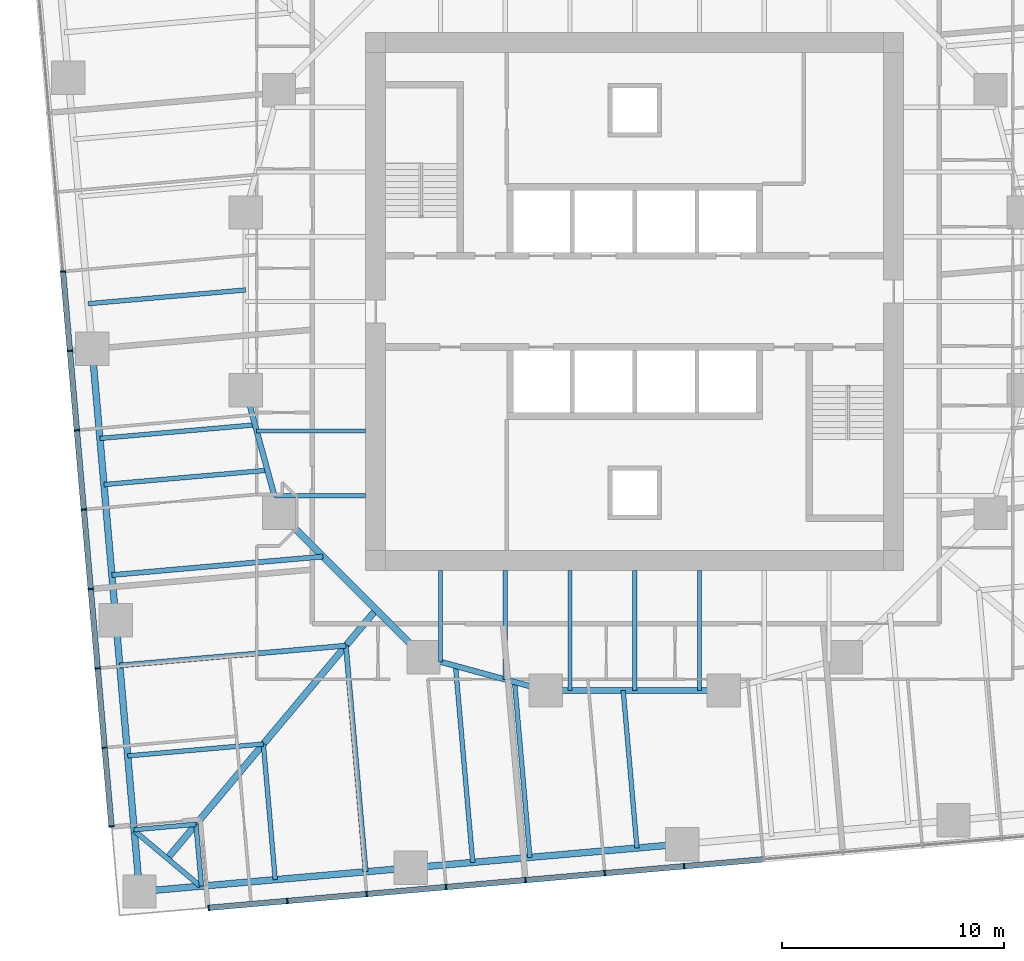
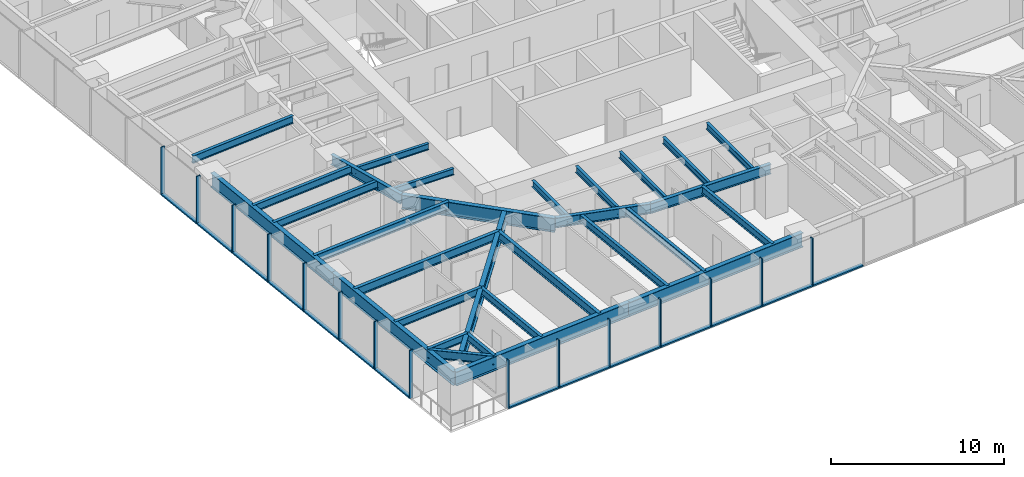
# One storey, part 2 of 14: 30 beams, 29 members, 2 elements without a shape of their own.
"""IFC4 building model written with IfcOpenShell, lengths in metres."""

from ifc_helpers import new_model, si_unit, direction, frame, origin, origin_2d, place, context, subcontext, project, spatial, rectangle, i_section, extrude, material, material_profile, profile_set, type_object, element, aggregate, save


model = new_model("IFC4")

# Units and contexts
model_context = context("Model", 3, precision=1e-05, world=origin(), true_north=direction((0.0, 1.0)))
body_context = subcontext(model_context, "Body", "Model", "MODEL_VIEW")
ifc_project = project(units=[si_unit("LENGTHUNIT", "METRE"), si_unit("AREAUNIT", "SQUARE_METRE"), si_unit("VOLUMEUNIT", "CUBIC_METRE"), si_unit("PLANEANGLEUNIT", "RADIAN"), si_unit("MASSUNIT", "GRAM", prefix="KILO")], contexts=[model_context])

# Site, building, storey
site_placement = place(None, origin())
site = spatial("IfcSite", under=ifc_project, at=site_placement, CompositionType="ELEMENT")
building_placement = place(site_placement, origin())
building = spatial("IfcBuilding", under=site, at=building_placement, Name="Torsade Residences", CompositionType="ELEMENT")
storey_placement = place(building_placement, frame((0.0, 0.0, 47.199951171875)))
storey = spatial("IfcBuildingStorey", under=building, at=storey_placement, Name="L12", CompositionType="ELEMENT", Elevation=47.199951171875)

# Beams
ifc_material_1 = material(Name="Steel grade 300", Category="steel")
ifc_material_profile_1 = material_profile(ifc_material_1, i_section(OverallWidth=0.300048828125, OverallDepth=0.89990234375, WebThickness=0.011962890625, FlangeThickness=0.02490234375, at=origin_2d()), Name="900WB175")
ifc_profile_set_1 = profile_set([ifc_material_profile_1], Name="Steel grade 300")
beam_type_1 = type_object("IfcBeamType", Name="CORNER GIRDER 900WB175", PredefinedType="BEAM", material=ifc_profile_set_1)
beam_1_placement = place(storey_placement, frame((18.978515625, 4.947509765625, 2.800048828125), z_axis=(0.642785419012, 0.766046281307, 0.0), x_axis=(-0.766046281307, 0.642785419012, 0.0)))
element("IfcBeam", 1, at=beam_1_placement, inside=storey, type_object=beam_type_1, Name="Corner girder 01 L13", PredefinedType="BEAM", context=body_context, shape_type="SweptSolid", body=[
    extrude(i_section(OverallWidth=0.300048828125, OverallDepth=0.89990234375, WebThickness=0.011962890625, FlangeThickness=0.02490234375, at=origin_2d()), origin(), (0.0, 0.0, 1.0), 14.603515625),
])
ifc_material_2 = material(Name="Steel grade 300", Category="steel")
ifc_material_profile_2 = material_profile(ifc_material_2, i_section(OverallWidth=0.22802734375, OverallDepth=0.60205078125, WebThickness=0.010498046875, FlangeThickness=0.014892578125, FilletRadius=0.013916015625, at=origin_2d()), Name="610UB101")
ifc_profile_set_2 = profile_set([ifc_material_profile_2], Name="Steel grade 300")
beam_type_2 = type_object("IfcBeamType", Name="CORNER TRIMMER 610UB101", PredefinedType="BEAM", material=ifc_profile_set_2)
beam_2_placement = place(storey_placement, frame((20.468017578125, 3.697509765625, 2.948974609375), z_axis=(-0.766030001697, 0.642804819911, 0.0), x_axis=(-0.642804819911, -0.766030001697, 0.0)))
element("IfcBeam", 2, at=beam_2_placement, inside=storey, type_object=beam_type_2, Name="Corner trimmer 01 L13", PredefinedType="BEAM", context=body_context, shape_type="SweptSolid", body=[
    extrude(i_section(OverallWidth=0.22802734375, OverallDepth=0.60205078125, WebThickness=0.010498046875, FlangeThickness=0.014892578125, FilletRadius=0.013916015625, at=origin_2d()), origin(), (0.0, 0.0, 1.0), 3.88916015625),
])

# Curtain wall, members
ifc_material_3 = material(Name="Aluminium and glass", Category="aluminium")
curtain_wall_type = type_object("IfcCurtainWallType", Name="FRITTED GLASS CURTAIN WALL LOW ZONE", PredefinedType="NOTDEFINED", material=ifc_material_3)
curtain_wall_1_placement = place(storey_placement, origin())
curtain_wall_1 = element("IfcCurtainWall", 3, at=curtain_wall_1_placement, inside=storey, type_object=curtain_wall_type, Name="Curtain wall L12 face 1", PredefinedType="NOTDEFINED")
ifc_material_4 = material(Name="Aluminium mullion", Category="aluminium")
ifc_material_profile_3 = material_profile(ifc_material_4, rectangle(XDim=0.25, YDim=0.06494140625, at=origin_2d()), Name="CURTAIN WALL MULLION 250x65")
ifc_profile_set_3 = profile_set([ifc_material_profile_3], Name="Aluminium mullion")
member_type_1 = type_object("IfcMemberType", Name="CURTAIN WALL MULLION 250x65", PredefinedType="MULLION", material=ifc_profile_set_3)
member_1_placement = place(storey_placement, frame((20.836669921875, 2.72607421875, 0.0), z_axis=(0.0, 0.0, 1.0), x_axis=(-0.087155744208, 0.996194697964, 0.0)))
member_1 = element("IfcMember", 4, at=member_1_placement, type_object=member_type_1, Name="Mullion 1", PredefinedType="MULLION", context=body_context, shape_type="SweptSolid", body=[
    extrude(rectangle(XDim=0.25, YDim=0.06494140625, at=origin_2d()), origin(), (0.0, 0.0, 1.0), 3.400146484375),
])
member_2_placement = place(storey_placement, frame((24.3740234375, 3.035400390625, 0.0), z_axis=(0.0, 0.0, 1.0), x_axis=(-0.087155744208, 0.996194697964, 0.0)))
member_2 = element("IfcMember", 5, at=member_2_placement, type_object=member_type_1, Name="Mullion 2", PredefinedType="MULLION", context=body_context, shape_type="SweptSolid", body=[
    extrude(rectangle(XDim=0.25, YDim=0.06494140625, at=origin_2d()), origin(), (0.0, 0.0, 1.0), 3.400146484375),
])
member_3_placement = place(storey_placement, frame((27.943603515625, 3.347900390625, 0.0), z_axis=(0.0, 0.0, 1.0), x_axis=(-0.087155744208, 0.996194697964, 0.0)))
member_3 = element("IfcMember", 6, at=member_3_placement, type_object=member_type_1, Name="Mullion 3", PredefinedType="MULLION", context=body_context, shape_type="SweptSolid", body=[
    extrude(rectangle(XDim=0.25, YDim=0.06494140625, at=origin_2d()), origin(), (0.0, 0.0, 1.0), 3.400146484375),
])
member_4_placement = place(storey_placement, frame((31.513427734375, 3.66015625, 0.0), z_axis=(0.0, 0.0, 1.0), x_axis=(-0.087155744208, 0.996194697964, 0.0)))
member_4 = element("IfcMember", 7, at=member_4_placement, type_object=member_type_1, Name="Mullion 4", PredefinedType="MULLION", context=body_context, shape_type="SweptSolid", body=[
    extrude(rectangle(XDim=0.25, YDim=0.06494140625, at=origin_2d()), origin(), (0.0, 0.0, 1.0), 3.400146484375),
])
member_5_placement = place(storey_placement, frame((35.0830078125, 3.972412109375, 0.0), z_axis=(0.0, 0.0, 1.0), x_axis=(-0.087155744208, 0.996194697964, 0.0)))
member_5 = element("IfcMember", 8, at=member_5_placement, type_object=member_type_1, Name="Mullion 5", PredefinedType="MULLION", context=body_context, shape_type="SweptSolid", body=[
    extrude(rectangle(XDim=0.25, YDim=0.06494140625, at=origin_2d()), origin(), (0.0, 0.0, 1.0), 3.400146484375),
])
member_6_placement = place(storey_placement, frame((38.65283203125, 4.28466796875, 0.0), z_axis=(0.0, 0.0, 1.0), x_axis=(-0.087155744208, 0.996194697964, 0.0)))
member_6 = element("IfcMember", 9, at=member_6_placement, type_object=member_type_1, Name="Mullion 6", PredefinedType="MULLION", context=body_context, shape_type="SweptSolid", body=[
    extrude(rectangle(XDim=0.25, YDim=0.06494140625, at=origin_2d()), origin(), (0.0, 0.0, 1.0), 3.400146484375),
])
member_7_placement = place(storey_placement, frame((42.222412109375, 4.596923828125, 0.0), z_axis=(0.0, 0.0, 1.0), x_axis=(-0.087155744208, 0.996194697964, 0.0)))
member_7 = element("IfcMember", 10, at=member_7_placement, type_object=member_type_1, Name="Mullion 7", PredefinedType="MULLION", context=body_context, shape_type="SweptSolid", body=[
    extrude(rectangle(XDim=0.25, YDim=0.06494140625, at=origin_2d()), origin(), (0.0, 0.0, 1.0), 3.400146484375),
])

curtain_wall_2_placement = place(storey_placement, origin())
curtain_wall_2 = element("IfcCurtainWall", 11, at=curtain_wall_2_placement, inside=storey, type_object=curtain_wall_type, Name="Curtain wall L12 face 10", PredefinedType="NOTDEFINED")
member_8_placement = place(storey_placement, frame((14.28466796875, 31.34716796875, 0.0), z_axis=(0.0, 0.0, 1.0), x_axis=(0.996194697964, 0.087155744208, 0.0)))
member_8 = element("IfcMember", 12, at=member_8_placement, type_object=member_type_1, Name="Mullion 6", PredefinedType="MULLION", context=body_context, shape_type="SweptSolid", body=[
    extrude(rectangle(XDim=0.25, YDim=0.06494140625, at=origin_2d()), origin(), (0.0, 0.0, 1.0), 3.400146484375),
])
member_9_placement = place(storey_placement, frame((14.596923828125, 27.777587890625, 0.0), z_axis=(0.0, 0.0, 1.0), x_axis=(0.996194697964, 0.087155744208, 0.0)))
member_9 = element("IfcMember", 13, at=member_9_placement, type_object=member_type_1, Name="Mullion 7", PredefinedType="MULLION", context=body_context, shape_type="SweptSolid", body=[
    extrude(rectangle(XDim=0.25, YDim=0.06494140625, at=origin_2d()), origin(), (0.0, 0.0, 1.0), 3.400146484375),
])
member_10_placement = place(storey_placement, frame((14.909423828125, 24.207763671875, 0.0), z_axis=(0.0, 0.0, 1.0), x_axis=(0.996194697964, 0.087155744208, 0.0)))
member_10 = element("IfcMember", 14, at=member_10_placement, type_object=member_type_1, Name="Mullion 8", PredefinedType="MULLION", context=body_context, shape_type="SweptSolid", body=[
    extrude(rectangle(XDim=0.25, YDim=0.06494140625, at=origin_2d()), origin(), (0.0, 0.0, 1.0), 3.400146484375),
])
member_11_placement = place(storey_placement, frame((15.2216796875, 20.63818359375, 0.0), z_axis=(0.0, 0.0, 1.0), x_axis=(0.996194697964, 0.087155744208, 0.0)))
member_11 = element("IfcMember", 15, at=member_11_placement, type_object=member_type_1, Name="Mullion 9", PredefinedType="MULLION", context=body_context, shape_type="SweptSolid", body=[
    extrude(rectangle(XDim=0.25, YDim=0.06494140625, at=origin_2d()), origin(), (0.0, 0.0, 1.0), 3.400146484375),
])
member_12_placement = place(storey_placement, frame((15.533935546875, 17.068359375, 0.0), z_axis=(0.0, 0.0, 1.0), x_axis=(0.996194697964, 0.087155744208, 0.0)))
member_12 = element("IfcMember", 16, at=member_12_placement, type_object=member_type_1, Name="Mullion 10", PredefinedType="MULLION", context=body_context, shape_type="SweptSolid", body=[
    extrude(rectangle(XDim=0.25, YDim=0.06494140625, at=origin_2d()), origin(), (0.0, 0.0, 1.0), 3.400146484375),
])
member_13_placement = place(storey_placement, frame((15.84619140625, 13.498779296875, 0.0), z_axis=(0.0, 0.0, 1.0), x_axis=(0.996194697964, 0.087155744208, 0.0)))
member_13 = element("IfcMember", 17, at=member_13_placement, type_object=member_type_1, Name="Mullion 11", PredefinedType="MULLION", context=body_context, shape_type="SweptSolid", body=[
    extrude(rectangle(XDim=0.25, YDim=0.06494140625, at=origin_2d()), origin(), (0.0, 0.0, 1.0), 3.400146484375),
])
member_14_placement = place(storey_placement, frame((16.15869140625, 9.928955078125, 0.0), z_axis=(0.0, 0.0, 1.0), x_axis=(0.996194697964, 0.087155744208, 0.0)))
member_14 = element("IfcMember", 18, at=member_14_placement, type_object=member_type_1, Name="Mullion 12", PredefinedType="MULLION", context=body_context, shape_type="SweptSolid", body=[
    extrude(rectangle(XDim=0.25, YDim=0.06494140625, at=origin_2d()), origin(), (0.0, 0.0, 1.0), 3.400146484375),
])
member_15_placement = place(storey_placement, frame((16.468017578125, 6.3916015625, 0.0), z_axis=(0.0, 0.0, 1.0), x_axis=(0.996194697964, 0.087155744208, 0.0)))
member_15 = element("IfcMember", 19, at=member_15_placement, type_object=member_type_1, Name="Mullion 13", PredefinedType="MULLION", context=body_context, shape_type="SweptSolid", body=[
    extrude(rectangle(XDim=0.25, YDim=0.06494140625, at=origin_2d()), origin(), (0.0, 0.0, 1.0), 3.400146484375),
])

# Member
ifc_material_5 = material(Name="Aluminium transom", Category="aluminium")
ifc_material_profile_4 = material_profile(ifc_material_5, rectangle(XDim=0.25, YDim=0.10009765625, at=origin_2d()), Name="CURTAIN WALL TRANSOM 250x100")
ifc_profile_set_4 = profile_set([ifc_material_profile_4], Name="Aluminium transom")
member_type_2 = type_object("IfcMemberType", Name="CURTAIN WALL TRANSOM 250x100", PredefinedType="USERDEFINED", material=ifc_profile_set_4)
member_16_placement = place(storey_placement, frame((20.869140625, 2.728759765625, 0.050048828125), z_axis=(0.996190751941, 0.0872008357, 0.0), x_axis=(-0.0872008357, 0.996190751941, 0.0)))
member_16 = element("IfcMember", 20, at=member_16_placement, type_object=member_type_2, Name="Transom 1.1", ObjectType="TRANSOM", PredefinedType="USERDEFINED", context=body_context, shape_type="SweptSolid", body=[
    extrude(rectangle(XDim=0.25, YDim=0.10009765625, at=origin_2d()), origin(), (0.0, 0.0, 1.0), 3.485595703125),
])

member_17_placement = place(storey_placement, frame((24.40625, 3.038330078125, 0.050048828125), z_axis=(0.996195148363, 0.08715059597, 0.0), x_axis=(-0.08715059597, 0.996195148363, 0.0)))
member_17 = element("IfcMember", 21, at=member_17_placement, type_object=member_type_2, Name="Transom 2.1", ObjectType="TRANSOM", PredefinedType="USERDEFINED", context=body_context, shape_type="SweptSolid", body=[
    extrude(rectangle(XDim=0.25, YDim=0.10009765625, at=origin_2d()), origin(), (0.0, 0.0, 1.0), 3.5185546875),
])

member_18_placement = place(storey_placement, frame((27.97607421875, 3.3505859375, 0.050048828125), z_axis=(0.996194621295, 0.087156620531, 0.0), x_axis=(-0.087156620531, 0.996194621295, 0.0)))
member_18 = element("IfcMember", 22, at=member_18_placement, type_object=member_type_2, Name="Transom 3.1", ObjectType="TRANSOM", PredefinedType="USERDEFINED", context=body_context, shape_type="SweptSolid", body=[
    extrude(rectangle(XDim=0.25, YDim=0.10009765625, at=origin_2d()), origin(), (0.0, 0.0, 1.0), 3.518310546875),
])

member_19_placement = place(storey_placement, frame((31.545654296875, 3.662841796875, 0.050048828125), z_axis=(0.996195148363, 0.08715059597, 0.0), x_axis=(-0.08715059597, 0.996195148363, 0.0)))
member_19 = element("IfcMember", 23, at=member_19_placement, type_object=member_type_2, Name="Transom 4.1", ObjectType="TRANSOM", PredefinedType="USERDEFINED", context=body_context, shape_type="SweptSolid", body=[
    extrude(rectangle(XDim=0.25, YDim=0.10009765625, at=origin_2d()), origin(), (0.0, 0.0, 1.0), 3.5185546875),
])

member_20_placement = place(storey_placement, frame((35.115478515625, 3.975341796875, 0.050048828125), z_axis=(0.996194621295, 0.087156620531, 0.0), x_axis=(-0.087156620531, 0.996194621295, 0.0)))
member_20 = element("IfcMember", 24, at=member_20_placement, type_object=member_type_2, Name="Transom 5.1", ObjectType="TRANSOM", PredefinedType="USERDEFINED", context=body_context, shape_type="SweptSolid", body=[
    extrude(rectangle(XDim=0.25, YDim=0.10009765625, at=origin_2d()), origin(), (0.0, 0.0, 1.0), 3.518310546875),
])

member_21_placement = place(storey_placement, frame((38.68505859375, 4.28759765625, 0.050048828125), z_axis=(0.996195148363, 0.08715059597, 0.0), x_axis=(-0.08715059597, 0.996195148363, 0.0)))
member_21 = element("IfcMember", 25, at=member_21_placement, type_object=member_type_2, Name="Transom 6.1", ObjectType="TRANSOM", PredefinedType="USERDEFINED", context=body_context, shape_type="SweptSolid", body=[
    extrude(rectangle(XDim=0.25, YDim=0.10009765625, at=origin_2d()), origin(), (0.0, 0.0, 1.0), 3.5185546875),
])

member_22_placement = place(storey_placement, frame((42.2548828125, 4.599853515625, 0.050048828125), z_axis=(0.996194621295, 0.087156620531, 0.0), x_axis=(-0.087156620531, 0.996194621295, 0.0)))
member_22 = element("IfcMember", 26, at=member_22_placement, type_object=member_type_2, Name="Transom 7.1", ObjectType="TRANSOM", PredefinedType="USERDEFINED", context=body_context, shape_type="SweptSolid", body=[
    extrude(rectangle(XDim=0.25, YDim=0.10009765625, at=origin_2d()), origin(), (0.0, 0.0, 1.0), 3.518310546875),
])

aggregate(curtain_wall_1, [member_1, member_2, member_3, member_4, member_5, member_6, member_7, member_16, member_17, member_18, member_19, member_20, member_21, member_22])

member_23_placement = place(storey_placement, frame((14.28759765625, 31.31494140625, 0.050048828125), z_axis=(0.08715059597, -0.996195148363, 0.0), x_axis=(0.996195148363, 0.08715059597, 0.0)))
member_23 = element("IfcMember", 27, at=member_23_placement, type_object=member_type_2, Name="Transom 6.1", ObjectType="TRANSOM", PredefinedType="USERDEFINED", context=body_context, shape_type="SweptSolid", body=[
    extrude(rectangle(XDim=0.25, YDim=0.10009765625, at=origin_2d()), origin(), (0.0, 0.0, 1.0), 3.5185546875),
])

member_24_placement = place(storey_placement, frame((14.599853515625, 27.7451171875, 0.050048828125), z_axis=(0.087156620531, -0.996194621295, 0.0), x_axis=(0.996194621295, 0.087156620531, 0.0)))
member_24 = element("IfcMember", 28, at=member_24_placement, type_object=member_type_2, Name="Transom 7.1", ObjectType="TRANSOM", PredefinedType="USERDEFINED", context=body_context, shape_type="SweptSolid", body=[
    extrude(rectangle(XDim=0.25, YDim=0.10009765625, at=origin_2d()), origin(), (0.0, 0.0, 1.0), 3.518310546875),
])

member_25_placement = place(storey_placement, frame((14.912109375, 24.175537109375, 0.050048828125), z_axis=(0.08715059597, -0.996195148363, 0.0), x_axis=(0.996195148363, 0.08715059597, 0.0)))
member_25 = element("IfcMember", 29, at=member_25_placement, type_object=member_type_2, Name="Transom 8.1", ObjectType="TRANSOM", PredefinedType="USERDEFINED", context=body_context, shape_type="SweptSolid", body=[
    extrude(rectangle(XDim=0.25, YDim=0.10009765625, at=origin_2d()), origin(), (0.0, 0.0, 1.0), 3.5185546875),
])

member_26_placement = place(storey_placement, frame((15.224365234375, 20.605712890625, 0.050048828125), z_axis=(0.087156620531, -0.996194621295, 0.0), x_axis=(0.996194621295, 0.087156620531, 0.0)))
member_26 = element("IfcMember", 30, at=member_26_placement, type_object=member_type_2, Name="Transom 9.1", ObjectType="TRANSOM", PredefinedType="USERDEFINED", context=body_context, shape_type="SweptSolid", body=[
    extrude(rectangle(XDim=0.25, YDim=0.10009765625, at=origin_2d()), origin(), (0.0, 0.0, 1.0), 3.518310546875),
])

member_27_placement = place(storey_placement, frame((15.536865234375, 17.0361328125, 0.050048828125), z_axis=(0.08715059597, -0.996195148363, 0.0), x_axis=(0.996195148363, 0.08715059597, 0.0)))
member_27 = element("IfcMember", 31, at=member_27_placement, type_object=member_type_2, Name="Transom 10.1", ObjectType="TRANSOM", PredefinedType="USERDEFINED", context=body_context, shape_type="SweptSolid", body=[
    extrude(rectangle(XDim=0.25, YDim=0.10009765625, at=origin_2d()), origin(), (0.0, 0.0, 1.0), 3.5185546875),
])

member_28_placement = place(storey_placement, frame((15.84912109375, 13.46630859375, 0.050048828125), z_axis=(0.087156620531, -0.996194621295, 0.0), x_axis=(0.996194621295, 0.087156620531, 0.0)))
member_28 = element("IfcMember", 32, at=member_28_placement, type_object=member_type_2, Name="Transom 11.1", ObjectType="TRANSOM", PredefinedType="USERDEFINED", context=body_context, shape_type="SweptSolid", body=[
    extrude(rectangle(XDim=0.25, YDim=0.10009765625, at=origin_2d()), origin(), (0.0, 0.0, 1.0), 3.518310546875),
])

member_29_placement = place(storey_placement, frame((16.161376953125, 9.896728515625, 0.050048828125), z_axis=(0.08719475177, -0.996191284475, 0.0), x_axis=(0.996191284475, 0.08719475177, 0.0)))
member_29 = element("IfcMember", 33, at=member_29_placement, type_object=member_type_2, Name="Transom 12.1", ObjectType="TRANSOM", PredefinedType="USERDEFINED", context=body_context, shape_type="SweptSolid", body=[
    extrude(rectangle(XDim=0.25, YDim=0.10009765625, at=origin_2d()), origin(), (0.0, 0.0, 1.0), 3.48583984375),
])

aggregate(curtain_wall_2, [member_8, member_9, member_10, member_11, member_12, member_13, member_14, member_15, member_23, member_24, member_25, member_26, member_27, member_28, member_29])

# Beams
ifc_material_6 = material(Name="Steel grade 300", Category="steel")
ifc_material_profile_5 = material_profile(ifc_material_6, i_section(OverallWidth=0.300048828125, OverallDepth=1.0, WebThickness=0.01611328125, FlangeThickness=0.028076171875, at=origin_2d()), Name="1000WB215")
ifc_profile_set_5 = profile_set([ifc_material_profile_5], Name="Steel grade 300")
beam_type_3 = type_object("IfcBeamType", Name="EDGE BEAM 1000WB215", PredefinedType="SPANDREL", material=ifc_profile_set_5)
for number, where, z_axis, x_axis, name in (
    (34, (17.728515625, 3.4580078125, 2.75), (0.996194907201, 0.08715335259, 0.0), (-0.08715335259, 0.996194907201, 0.0), "Edge beam 01 L13"),
    (35, (29.931884765625, 4.525634765625, 2.75), (0.996194907201, 0.08715335259, 0.0), (-0.08715335259, 0.996194907201, 0.0), "Edge beam 02 L13"),
    (36, (15.59326171875, 27.86474609375, 2.75), (0.08715335259, -0.996194907201, 0.0), (0.996194907201, 0.08715335259, 0.0), "Edge beam 15 L13"),
    (37, (16.660888671875, 15.661376953125, 2.75), (0.08715335259, -0.996194907201, 0.0), (0.996194907201, 0.08715335259, 0.0), "Edge beam 16 L13"),
):
    element("IfcBeam", number, at=place(storey_placement, frame(where, z_axis=z_axis, x_axis=x_axis)), inside=storey, type_object=beam_type_3, Name=name, PredefinedType="SPANDREL", context=body_context, shape_type="SweptSolid", body=[
        extrude(i_section(OverallWidth=0.300048828125, OverallDepth=1.0, WebThickness=0.01611328125, FlangeThickness=0.028076171875, at=origin_2d()), origin(), (0.0, 0.0, 1.0), 12.25),
    ])
ifc_material_7 = material(Name="Steel grade 300", Category="steel")
ifc_material_profile_6 = material_profile(ifc_material_7, i_section(OverallWidth=0.18994140625, OverallDepth=0.4541015625, WebThickness=0.008544921875, FlangeThickness=0.0126953125, FilletRadius=0.011474609375, at=origin_2d()), Name="460UB67.1")
ifc_profile_set_6 = profile_set([ifc_material_profile_6], Name="Steel grade 300")
beam_type_4 = type_object("IfcBeamType", Name="INNER FLOOR BEAM 460UB67.1", PredefinedType="JOIST", material=ifc_profile_set_6)
for number, where, z_axis, x_axis, name in (
    (38, (42.91259765625, 17.89990234375, 3.02294921875), (0.0, -1.0, 0.0), (1.0, 0.0, 0.0), "Inner floor beam IS03 L13"),
    (39, (40.0, 17.89990234375, 3.02294921875), (0.0, -1.0, 0.0), (1.0, 0.0, 0.0), "Inner floor beam IS04 L13"),
    (40, (37.08740234375, 17.89990234375, 3.02294921875), (0.0, -1.0, 0.0), (1.0, 0.0, 0.0), "Inner floor beam IS05 L13"),
):
    element("IfcBeam", number, at=place(storey_placement, frame(where, z_axis=z_axis, x_axis=x_axis)), inside=storey, type_object=beam_type_4, Name=name, PredefinedType="JOIST", context=body_context, shape_type="SweptSolid", body=[
        extrude(i_section(OverallWidth=0.18994140625, OverallDepth=0.4541015625, WebThickness=0.008544921875, FlangeThickness=0.0126953125, FilletRadius=0.011474609375, at=origin_2d()), origin(), (0.0, 0.0, 1.0), 5.39990234375),
    ])
beam_3_placement = place(storey_placement, frame((34.175048828125, 17.89990234375, 3.02294921875), z_axis=(0.0, -1.0, 0.0), x_axis=(1.0, 0.0, 0.0)))
element("IfcBeam", 41, at=beam_3_placement, inside=storey, type_object=beam_type_4, Name="Inner floor beam IS06 L13", PredefinedType="JOIST", context=body_context, shape_type="SweptSolid", body=[
    extrude(i_section(OverallWidth=0.18994140625, OverallDepth=0.4541015625, WebThickness=0.008544921875, FlangeThickness=0.0126953125, FilletRadius=0.011474609375, at=origin_2d()), origin(), (0.0, 0.0, 1.0), 4.902099609375),
])
beam_4_placement = place(storey_placement, frame((31.262451171875, 17.89990234375, 3.02294921875), z_axis=(0.0, -1.0, 0.0), x_axis=(1.0, 0.0, 0.0)))
element("IfcBeam", 42, at=beam_4_placement, inside=storey, type_object=beam_type_4, Name="Inner floor beam IS07 L13", PredefinedType="JOIST", context=body_context, shape_type="SweptSolid", body=[
    extrude(i_section(OverallWidth=0.18994140625, OverallDepth=0.4541015625, WebThickness=0.008544921875, FlangeThickness=0.0126953125, FilletRadius=0.011474609375, at=origin_2d()), origin(), (0.0, 0.0, 1.0), 4.10791015625),
])
beam_5_placement = place(storey_placement, frame((27.89990234375, 24.175048828125, 3.02294921875), z_axis=(-1.0, 0.0, 0.0), x_axis=(0.0, -1.0, 0.0)))
element("IfcBeam", 43, at=beam_5_placement, inside=storey, type_object=beam_type_4, Name="Inner floor beam IW06 L13", PredefinedType="JOIST", context=body_context, shape_type="SweptSolid", body=[
    extrude(i_section(OverallWidth=0.18994140625, OverallDepth=0.4541015625, WebThickness=0.008544921875, FlangeThickness=0.0126953125, FilletRadius=0.011474609375, at=origin_2d()), origin(), (0.0, 0.0, 1.0), 4.902099609375),
])
beam_6_placement = place(storey_placement, frame((27.89990234375, 21.262451171875, 3.02294921875), z_axis=(-1.0, 0.0, 0.0), x_axis=(0.0, -1.0, 0.0)))
element("IfcBeam", 44, at=beam_6_placement, inside=storey, type_object=beam_type_4, Name="Inner floor beam IW07 L13", PredefinedType="JOIST", context=body_context, shape_type="SweptSolid", body=[
    extrude(i_section(OverallWidth=0.18994140625, OverallDepth=0.4541015625, WebThickness=0.008544921875, FlangeThickness=0.0126953125, FilletRadius=0.011474609375, at=origin_2d()), origin(), (0.0, 0.0, 1.0), 4.10791015625),
])
ifc_material_8 = material(Name="Steel grade 300", Category="steel")
ifc_material_profile_7 = material_profile(ifc_material_8, i_section(OverallWidth=0.300048828125, OverallDepth=1.0, WebThickness=0.01611328125, FlangeThickness=0.028076171875, at=origin_2d()), Name="1000WB215")
ifc_profile_set_7 = profile_set([ifc_material_profile_7], Name="Steel grade 300")
beam_type_5 = type_object("IfcBeamType", Name="RING CORNER GIRDER 1000WB215", PredefinedType="BEAM", material=ifc_profile_set_7)
beam_7_placement = place(storey_placement, frame((24.0, 20.5, 2.75), z_axis=(0.707106781187, -0.707106781187, 0.0), x_axis=(0.707106781187, 0.707106781187, 0.0)))
element("IfcBeam", 45, at=beam_7_placement, inside=storey, type_object=beam_type_5, Name="Ring girder IR11 L13", PredefinedType="BEAM", context=body_context, shape_type="SweptSolid", body=[
    extrude(i_section(OverallWidth=0.300048828125, OverallDepth=1.0, WebThickness=0.01611328125, FlangeThickness=0.028076171875, at=origin_2d()), origin(), (0.0, 0.0, 1.0), 9.1923828125),
])
ifc_material_9 = material(Name="Steel grade 300", Category="steel")
ifc_material_profile_8 = material_profile(ifc_material_9, i_section(OverallWidth=0.25, OverallDepth=0.699951171875, WebThickness=0.010009765625, FlangeThickness=0.02001953125, at=origin_2d()), Name="700WB130")
ifc_profile_set_8 = profile_set([ifc_material_profile_8], Name="Steel grade 300")
beam_type_6 = type_object("IfcBeamType", Name="RING GIRDER 700WB130", PredefinedType="BEAM", material=ifc_profile_set_8)
for number, where, z_axis, x_axis, name in (
    (46, (22.5, 26.0, 2.900146484375), (0.263117405792, -0.964763821238, 0.0), (0.964763821238, 0.263117405792, 0.0), "Ring girder IR10 L13"),
    (47, (30.5, 14.0, 2.900146484375), (0.964763821238, -0.263117405792, 0.0), (0.263117405792, 0.964763821238, 0.0), "Ring girder IR12 L13"),
):
    element("IfcBeam", number, at=place(storey_placement, frame(where, z_axis=z_axis, x_axis=x_axis)), inside=storey, type_object=beam_type_6, Name=name, PredefinedType="BEAM", context=body_context, shape_type="SweptSolid", body=[
        extrude(i_section(OverallWidth=0.25, OverallDepth=0.699951171875, WebThickness=0.010009765625, FlangeThickness=0.02001953125, at=origin_2d()), origin(), (0.0, 0.0, 1.0), 5.700927734375),
    ])
beam_8_placement = place(storey_placement, frame((36.0, 12.5, 2.900146484375), z_axis=(1.0, 0.0, 0.0), x_axis=(0.0, 1.0, 0.0)))
element("IfcBeam", 48, at=beam_8_placement, inside=storey, type_object=beam_type_6, Name="Ring girder IR13 L13", PredefinedType="BEAM", context=body_context, shape_type="SweptSolid", body=[
    extrude(i_section(OverallWidth=0.25, OverallDepth=0.699951171875, WebThickness=0.010009765625, FlangeThickness=0.02001953125, at=origin_2d()), origin(), (0.0, 0.0, 1.0), 8.0),
])
ifc_material_10 = material(Name="Steel grade 300", Category="steel")
ifc_material_profile_9 = material_profile(ifc_material_10, i_section(OverallWidth=0.208984375, OverallDepth=0.528076171875, WebThickness=0.009521484375, FlangeThickness=0.01318359375, FilletRadius=0.013916015625, at=origin_2d()), Name="530UB82.0")
ifc_profile_set_9 = profile_set([ifc_material_profile_9], Name="Steel grade 300")
beam_type_7 = type_object("IfcBeamType", Name="SECONDARY BEAM 530UB82.0", PredefinedType="JOIST", material=ifc_profile_set_9)
beam_9_placement = place(storey_placement, frame((20.509521484375, 3.701171875, 2.986083984375), z_axis=(-0.087105111923, 0.996199126418, 0.0), x_axis=(-0.996199126418, -0.087105111923, 0.0)))
element("IfcBeam", 49, at=beam_9_placement, inside=storey, type_object=beam_type_7, Name="Floor beam FS01 L13", PredefinedType="JOIST", context=body_context, shape_type="SweptSolid", body=[
    extrude(i_section(OverallWidth=0.208984375, OverallDepth=0.528076171875, WebThickness=0.009521484375, FlangeThickness=0.01318359375, FilletRadius=0.013916015625, at=origin_2d()), origin(), (0.0, 0.0, 1.0), 2.79150390625),
])
beam_10_placement = place(storey_placement, frame((23.830322265625, 3.99169921875, 2.986083984375), z_axis=(-0.087171400335, 0.996193328106, 0.0), x_axis=(-0.996193328106, -0.087171400335, 0.0)))
element("IfcBeam", 50, at=beam_10_placement, inside=storey, type_object=beam_type_7, Name="Floor beam FS02 L13", PredefinedType="JOIST", context=body_context, shape_type="SweptSolid", body=[
    extrude(i_section(OverallWidth=0.208984375, OverallDepth=0.528076171875, WebThickness=0.009521484375, FlangeThickness=0.01318359375, FilletRadius=0.013916015625, at=origin_2d()), origin(), (0.0, 0.0, 1.0), 6.125244140625),
])
beam_11_placement = place(storey_placement, frame((32.712890625, 4.768798828125, 2.986083984375), z_axis=(-0.08714612802, 0.996195539225, 0.0), x_axis=(-0.996195539225, -0.08714612802, 0.0)))
element("IfcBeam", 51, at=beam_11_placement, inside=storey, type_object=beam_type_7, Name="Floor beam FS04 L13", PredefinedType="JOIST", context=body_context, shape_type="SweptSolid", body=[
    extrude(i_section(OverallWidth=0.208984375, OverallDepth=0.528076171875, WebThickness=0.009521484375, FlangeThickness=0.01318359375, FilletRadius=0.013916015625, at=origin_2d()), origin(), (0.0, 0.0, 1.0), 8.872314453125),
])
beam_12_placement = place(storey_placement, frame((35.286376953125, 4.994140625, 2.986083984375), z_axis=(-0.087157771408, 0.996194520605, 0.0), x_axis=(-0.996194520605, -0.087157771408, 0.0)))
element("IfcBeam", 52, at=beam_12_placement, inside=storey, type_object=beam_type_7, Name="Floor beam FS05 L13", PredefinedType="JOIST", context=body_context, shape_type="SweptSolid", body=[
    extrude(i_section(OverallWidth=0.208984375, OverallDepth=0.528076171875, WebThickness=0.009521484375, FlangeThickness=0.01318359375, FilletRadius=0.013916015625, at=origin_2d()), origin(), (0.0, 0.0, 1.0), 7.918701171875),
])
for number, where, z_axis, x_axis, name in (
    (53, (40.101318359375, 5.415283203125, 2.986083984375), (-0.087127345813, 0.996197182094, 0.0), (-0.996197182094, -0.087127345813, 0.0), "Floor beam FS06 L13"),
    (54, (15.415283203125, 29.898681640625, 2.986083984375), (0.996197182094, 0.087127345813, 0.0), (-0.087127345813, 0.996197182094, 0.0), "Floor beam FW06 L13"),
):
    element("IfcBeam", number, at=place(storey_placement, frame(where, z_axis=z_axis, x_axis=x_axis)), inside=storey, type_object=beam_type_7, Name=name, PredefinedType="JOIST", context=body_context, shape_type="SweptSolid", body=[
        extrude(i_section(OverallWidth=0.208984375, OverallDepth=0.528076171875, WebThickness=0.009521484375, FlangeThickness=0.01318359375, FilletRadius=0.013916015625, at=origin_2d()), origin(), (0.0, 0.0, 1.0), 7.11181640625),
    ])
beam_13_placement = place(storey_placement, frame((15.945556640625, 23.83837890625, 2.986083984375), z_axis=(0.99619296077, 0.087175598142, 0.0), x_axis=(-0.087175598142, 0.99619296077, 0.0)))
element("IfcBeam", 55, at=beam_13_placement, inside=storey, type_object=beam_type_7, Name="Floor beam FW07 L13", PredefinedType="JOIST", context=body_context, shape_type="SweptSolid", body=[
    extrude(i_section(OverallWidth=0.208984375, OverallDepth=0.528076171875, WebThickness=0.009521484375, FlangeThickness=0.01318359375, FilletRadius=0.013916015625, at=origin_2d()), origin(), (0.0, 0.0, 1.0), 7.004150390625),
])
beam_14_placement = place(storey_placement, frame((16.126953125, 21.762939453125, 2.986083984375), z_axis=(0.996194650902, 0.087156282128, 0.0), x_axis=(-0.087156282128, 0.996194650902, 0.0)))
element("IfcBeam", 56, at=beam_14_placement, inside=storey, type_object=beam_type_7, Name="Floor beam FW08 L13", PredefinedType="JOIST", context=body_context, shape_type="SweptSolid", body=[
    extrude(i_section(OverallWidth=0.208984375, OverallDepth=0.528076171875, WebThickness=0.009521484375, FlangeThickness=0.01318359375, FilletRadius=0.013916015625, at=origin_2d()), origin(), (0.0, 0.0, 1.0), 7.381103515625),
])
beam_15_placement = place(storey_placement, frame((17.19482421875, 9.5595703125, 2.986083984375), z_axis=(0.996193025206, 0.087174861801, 0.0), x_axis=(-0.087174861801, 0.996193025206, 0.0)))
element("IfcBeam", 57, at=beam_15_placement, inside=storey, type_object=beam_type_7, Name="Floor beam FW11 L13", PredefinedType="JOIST", context=body_context, shape_type="SweptSolid", body=[
    extrude(i_section(OverallWidth=0.208984375, OverallDepth=0.528076171875, WebThickness=0.009521484375, FlangeThickness=0.01318359375, FilletRadius=0.013916015625, at=origin_2d()), origin(), (0.0, 0.0, 1.0), 6.125),
])
beam_16_placement = place(storey_placement, frame((17.4853515625, 6.239013671875, 2.986083984375), z_axis=(0.996199126418, 0.087105111923, 0.0), x_axis=(-0.087105111923, 0.996199126418, 0.0)))
element("IfcBeam", 58, at=beam_16_placement, inside=storey, type_object=beam_type_7, Name="Floor beam FW12 L13", PredefinedType="JOIST", context=body_context, shape_type="SweptSolid", body=[
    extrude(i_section(OverallWidth=0.208984375, OverallDepth=0.528076171875, WebThickness=0.009521484375, FlangeThickness=0.01318359375, FilletRadius=0.013916015625, at=origin_2d()), origin(), (0.0, 0.0, 1.0), 2.79150390625),
])
ifc_material_11 = material(Name="Steel grade 300", Category="steel")
ifc_material_profile_10 = material_profile(ifc_material_11, i_section(OverallWidth=0.22900390625, OverallDepth=0.612060546875, WebThickness=0.011962890625, FlangeThickness=0.01953125, FilletRadius=0.013916015625, at=origin_2d()), Name="610UB125")
ifc_profile_set_10 = profile_set([ifc_material_profile_10], Name="Steel grade 300")
beam_type_8 = type_object("IfcBeamType", Name="SECONDARY BEAM 610UB125", PredefinedType="JOIST", material=ifc_profile_set_10)
beam_17_placement = place(storey_placement, frame((27.89794921875, 4.34765625, 2.944091796875), z_axis=(-0.087149742944, 0.996195222988, 0.0), x_axis=(-0.996195222988, -0.087149742944, 0.0)))
element("IfcBeam", 59, at=beam_17_placement, inside=storey, type_object=beam_type_8, Name="Floor beam FS03 L13", PredefinedType="JOIST", context=body_context, shape_type="SweptSolid", body=[
    extrude(i_section(OverallWidth=0.22900390625, OverallDepth=0.612060546875, WebThickness=0.011962890625, FlangeThickness=0.01953125, FilletRadius=0.013916015625, at=origin_2d()), origin(), (0.0, 0.0, 1.0), 10.208251953125),
])
beam_18_placement = place(storey_placement, frame((16.48291015625, 17.6953125, 2.944091796875), z_axis=(0.996195358323, 0.087148195942, 0.0), x_axis=(-0.087148195942, 0.996195358323, 0.0)))
element("IfcBeam", 60, at=beam_18_placement, inside=storey, type_object=beam_type_8, Name="Floor beam FW09 L13", PredefinedType="JOIST", context=body_context, shape_type="SweptSolid", body=[
    extrude(i_section(OverallWidth=0.22900390625, OverallDepth=0.612060546875, WebThickness=0.011962890625, FlangeThickness=0.01953125, FilletRadius=0.013916015625, at=origin_2d()), origin(), (0.0, 0.0, 1.0), 9.527587890625),
])
beam_19_placement = place(storey_placement, frame((16.8388671875, 13.62744140625, 2.944091796875), z_axis=(0.996195222988, 0.087149742944, 0.0), x_axis=(-0.087149742944, 0.996195222988, 0.0)))
element("IfcBeam", 61, at=beam_19_placement, inside=storey, type_object=beam_type_8, Name="Floor beam FW10 L13", PredefinedType="JOIST", context=body_context, shape_type="SweptSolid", body=[
    extrude(i_section(OverallWidth=0.22900390625, OverallDepth=0.612060546875, WebThickness=0.011962890625, FlangeThickness=0.01953125, FilletRadius=0.013916015625, at=origin_2d()), origin(), (0.0, 0.0, 1.0), 10.208251953125),
])

save(model, "model.ifc")
